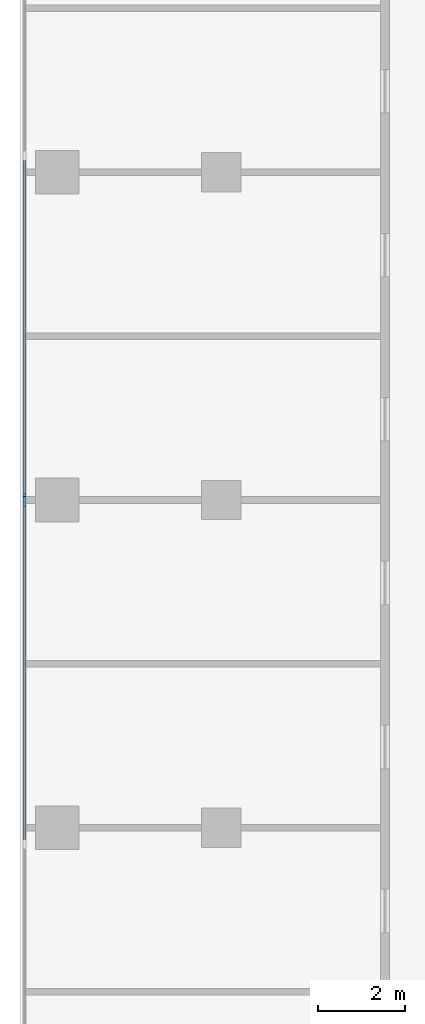
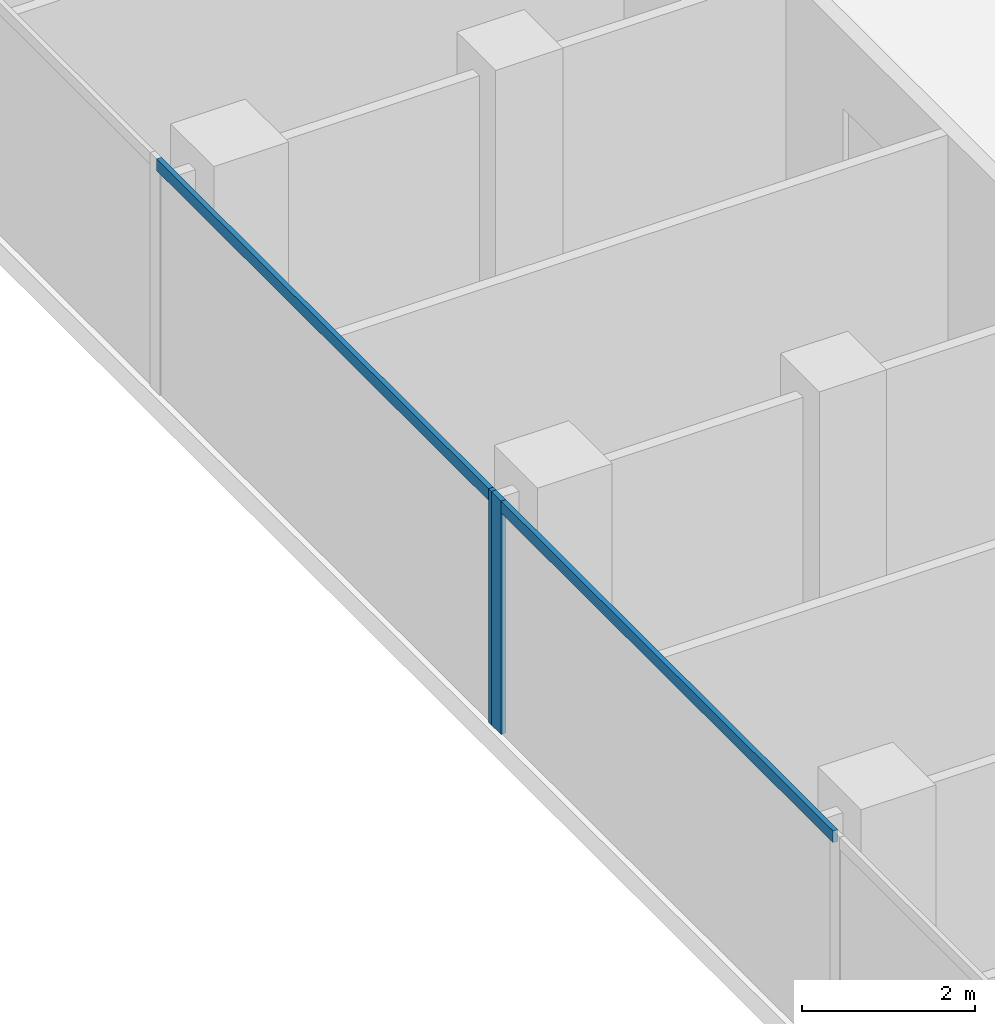
# One storey, part 3 of 12: 4 members, 2 elements without a shape of their own.
"""IFC4 building model written with IfcOpenShell, lengths in metres."""

import ifcopenshell
import ifcopenshell.guid

model = None  # the IFC model being written
_history = None  # IfcOwnerHistory: only IFC2X3 demands one
_inside = {}  # id of a spatial element -> (the spatial element, [elements in it])
_under = {}  # id of a project, library or spatial element -> (it, [spatial elements below it])
_declared = {}  # id of a project -> (the project, [libraries it declares])
_typed = {}  # id of a type object -> (the type object, [elements of that type])
_made_of = {}  # id of a material, layer set ... -> (it, [elements and type objects made of it])


def new_model(schema):
    """Start an empty IFC model of exactly this schema.

    Asked for "IFC4X3", IfcOpenShell would pick the latest addendum, in which some entities
    have other attributes; the version numbers below select the first issue.
    IFC2X3 requires an IfcOwnerHistory on every rooted entity: one is made here for all.
    """
    global model, _history
    if schema == "IFC4X3":
        model = ifcopenshell.file(schema_version=(4, 3, 0, 0))
    else:
        model = ifcopenshell.file(schema=schema)
    _inside.clear()
    _under.clear()
    _declared.clear()
    _typed.clear()
    _made_of.clear()
    _history = None
    if model.schema == "IFC2X3":
        org = make("IfcOrganization", Name="unknown")
        user = make(
            "IfcPersonAndOrganization",
            ThePerson=make("IfcPerson", FamilyName="unknown"),
            TheOrganization=org,
        )
        app = make(
            "IfcApplication",
            ApplicationDeveloper=org,
            Version="unknown",
            ApplicationFullName="unknown",
            ApplicationIdentifier="unknown",
        )
        _history = make(
            "IfcOwnerHistory",
            OwningUser=user,
            OwningApplication=app,
            ChangeAction="ADDED",
            CreationDate=0,
        )
    return model


def make(cls, **values):
    """One entity of the class cls with the attributes given. An attribute that is None is left unset."""
    return model.create_entity(
        cls, **{name: value for name, value in values.items() if value is not None}
    )


def rooted(cls, **values):
    """An entity with a GlobalId (a new one), such as an element, a storey or a relation."""
    return make(cls, GlobalId=ifcopenshell.guid.new(), OwnerHistory=_history, **values)


def si_unit(unit_type, name, prefix=None):
    """IfcSIUnit, for example si_unit("LENGTHUNIT", "METRE", prefix="MILLI")."""
    return make("IfcSIUnit", UnitType=unit_type, Prefix=prefix, Name=name)


def assignment(units):
    """IfcUnitAssignment: the units of a project."""
    return None if units is None else make("IfcUnitAssignment", Units=units)


def point(xyz):
    """IfcCartesianPoint."""
    return None if xyz is None else make("IfcCartesianPoint", Coordinates=xyz)


def direction(xyz):
    """IfcDirection."""
    return None if xyz is None else make("IfcDirection", DirectionRatios=xyz)


def frame(location, z_axis=None, x_axis=None):
    """IfcAxis2Placement3D, a coordinate frame: its origin and axes. An axis left out is left unset."""
    return make(
        "IfcAxis2Placement3D",
        Location=point(location),
        Axis=direction(z_axis),
        RefDirection=direction(x_axis),
    )


def frame_2d(location, x_axis=None):
    """IfcAxis2Placement2D, a coordinate frame in the plane: its origin and x axis."""
    return make(
        "IfcAxis2Placement2D", Location=point(location), RefDirection=direction(x_axis)
    )


def origin():
    """The frame at (0, 0, 0) with its axes left unset."""
    return frame((0.0, 0.0, 0.0))


def origin_2d():
    """The frame at (0, 0) in the plane with its x axis left unset."""
    return frame_2d((0.0, 0.0))


def place(relative_to, where):
    """IfcLocalPlacement: puts the frame where relative to a parent placement (None: the world)."""
    return make(
        "IfcLocalPlacement", PlacementRelTo=relative_to, RelativePlacement=where
    )


def context(
    kind, dimensions, precision=None, world=None, true_north=None, identifier=None
):
    """IfcGeometricRepresentationContext, for example the 3D "Model" context."""
    return make(
        "IfcGeometricRepresentationContext",
        ContextIdentifier=identifier,
        ContextType=kind,
        CoordinateSpaceDimension=dimensions,
        Precision=precision,
        WorldCoordinateSystem=world,
        TrueNorth=true_north,
    )


def subcontext(parent, identifier, kind, view, scale=None):
    """IfcGeometricRepresentationSubContext, for example "Body" below "Model"."""
    return make(
        "IfcGeometricRepresentationSubContext",
        ContextIdentifier=identifier,
        ContextType=kind,
        ParentContext=parent,
        TargetScale=scale,
        TargetView=view,
    )


def project(units=None, contexts=None):
    """IfcProject with its units and contexts."""
    return rooted(
        "IfcProject",
        Name="project",
        RepresentationContexts=contexts,
        UnitsInContext=assignment(units),
    )


def spatial(cls, under=None, at=None, **own):
    """A site, building, storey or space (cls), placed at a placement, below another one or the project."""
    s = rooted(cls, ObjectPlacement=at, **own)
    if under is not None:
        _under.setdefault(under.id(), (under, []))[1].append(s)
    return s


def profile(cls, at=None, kind="AREA", **sizes):
    """A parametric profile (cls). Its sizes go by their IFC names, for example OverallWidth=200.0."""
    return make(cls, ProfileType=kind, Position=at, **sizes)


def rectangle(**sizes):
    """IfcRectangleProfileDef."""
    return profile("IfcRectangleProfileDef", **sizes)


def extrude(swept, where, along, depth):
    """IfcExtrudedAreaSolid: the profile swept, set in the frame where, extruded along a direction by depth."""
    return make(
        "IfcExtrudedAreaSolid",
        SweptArea=swept,
        Position=where,
        ExtrudedDirection=direction(along),
        Depth=depth,
    )


def shape(context_of_items, identifier, shape_type, items):
    """IfcShapeRepresentation: the items that make up one representation, for example the "Body"."""
    return make(
        "IfcShapeRepresentation",
        ContextOfItems=context_of_items,
        RepresentationIdentifier=identifier,
        RepresentationType=shape_type,
        Items=items,
    )


def material(Name=None, Category=None):
    """IfcMaterial."""
    return make("IfcMaterial", Name=Name, Category=Category)


def material_profile(
    of_material, cross_section, Name=None, Category=None, Priority=None
):
    """IfcMaterialProfile: a cross section and its material."""
    return make(
        "IfcMaterialProfile",
        Name=Name,
        Material=of_material,
        Profile=cross_section,
        Priority=Priority,
        Category=Category,
    )


def profile_set(profiles, Name=None, composite=None):
    """IfcMaterialProfileSet."""
    return make(
        "IfcMaterialProfileSet",
        Name=Name,
        MaterialProfiles=profiles,
        CompositeProfile=composite,
    )


def made_of(thing, what):
    """Note that an element or type object is made of a material, layer set ...; save() writes the relation."""
    if what is not None:
        _made_of.setdefault(what.id(), (what, []))[1].append(thing)
    return thing


def type_object(cls, material=None, **own):
    """A type object (cls), such as IfcWallType, which elements share."""
    return made_of(rooted(cls, **own), material)


def element(
    cls,
    number,
    at=None,
    inside=None,
    cuts=None,
    type_object=None,
    material=None,
    context=None,
    identifier="Body",
    shape_type=None,
    held_by="IfcProductDefinitionShape",
    body=None,
    shapes=None,
    **own,
):
    """One element of the class cls, such as IfcWall. Its Tag is "e" and its number.

    at: its placement. inside: the storey or other place that contains it. cuts: it is an
    opening in that element (IfcRelVoidsElement). A single representation is given by context,
    identifier, shape_type and body (its items); several are given by shapes. held_by: the class
    of the entity that holds the representations. save() writes the other relations.
    """
    e = rooted(cls, Tag="e%d" % number, ObjectPlacement=at, **own)
    if body is not None:
        shapes = [shape(context, identifier, shape_type, body)]
    if shapes is not None:
        e.Representation = make(held_by, Representations=shapes)
    if inside is not None:
        _inside.setdefault(inside.id(), (inside, []))[1].append(e)
    if cuts is not None:
        rooted(
            "IfcRelVoidsElement", RelatingBuildingElement=cuts, RelatedOpeningElement=e
        )
    if type_object is not None:
        _typed.setdefault(type_object.id(), (type_object, []))[1].append(e)
    return made_of(e, material)


def aggregate(whole, parts):
    """IfcRelAggregates: a whole, such as a stair, and the parts it consists of."""
    return rooted("IfcRelAggregates", RelatingObject=whole, RelatedObjects=parts)


def save(model, path):
    """Write the relations noted so far, then the file.

    IfcRelAggregates (storeys below a building ...), IfcRelContainedInSpatialStructure (elements
    in a storey), IfcRelDefinesByType, IfcRelAssociatesMaterial and IfcRelDeclares: one each for
    every whole, place, type object, material and project.
    """
    for whole, parts in _under.values():
        aggregate(whole, parts)
    for where, things in _inside.values():
        rooted(
            "IfcRelContainedInSpatialStructure",
            RelatedElements=things,
            RelatingStructure=where,
        )
    for kind, things in _typed.values():
        rooted("IfcRelDefinesByType", RelatedObjects=things, RelatingType=kind)
    for what, things in _made_of.values():
        rooted("IfcRelAssociatesMaterial", RelatedObjects=things, RelatingMaterial=what)
    for by, libraries in _declared.values():
        rooted("IfcRelDeclares", RelatingContext=by, RelatedDefinitions=libraries)
    model.write(path)


model = new_model("IFC4")

# Units and contexts
model_context = context("Model", 3, precision=1e-05, world=origin(), true_north=direction((0.0, 1.0)))
body_context = subcontext(model_context, "Body", "Model", "MODEL_VIEW")
ifc_project = project(units=[si_unit("LENGTHUNIT", "METRE"), si_unit("AREAUNIT", "SQUARE_METRE"), si_unit("VOLUMEUNIT", "CUBIC_METRE"), si_unit("PLANEANGLEUNIT", "RADIAN"), si_unit("MASSUNIT", "GRAM", prefix="KILO")], contexts=[model_context])

# Site, building, storey
site_placement = place(None, origin())
site = spatial("IfcSite", under=ifc_project, at=site_placement, CompositionType="ELEMENT")
building_placement = place(site_placement, origin())
building = spatial("IfcBuilding", under=site, at=building_placement, Name="Pilkhan Gate Tower", CompositionType="ELEMENT")
storey_placement = place(building_placement, frame((0.0, 0.0, 188.699951171875)))
storey = spatial("IfcBuildingStorey", under=building, at=storey_placement, Name="L48", CompositionType="ELEMENT", Elevation=188.699951171875)

# Curtain wall, member
ifc_material_1 = material(Name="Pale anodised aluminium, clear low-iron double glazing", Category="aluminium")
curtain_wall_type = type_object("IfcCurtainWallType", Name="Office unitised curtain wall CW-O2", PredefinedType="USERDEFINED", material=ifc_material_1)
curtain_wall_1_placement = place(storey_placement, origin())
curtain_wall_1 = element("IfcCurtainWall", 1, at=curtain_wall_1_placement, inside=storey, type_object=curtain_wall_type, Name="Office unitised curtain wall CW-O2 L48 W", ObjectType="UNITISED CURTAIN WALL", PredefinedType="USERDEFINED")
ifc_material_2 = material(Name="Pale anodised aluminium", Category="aluminium")
ifc_material_profile_1 = material_profile(ifc_material_2, rectangle(XDim=0.06494140625, YDim=0.22509765625, at=origin_2d()), Name="Mullion 225x65")
ifc_profile_set_1 = profile_set([ifc_material_profile_1], Name="Pale anodised aluminium")
member_type_1 = type_object("IfcMemberType", Name="Mullion CW-O2 225x65", PredefinedType="MULLION", material=ifc_profile_set_1)
member_1_placement = place(storey_placement, frame((48.0, 67.467529296875, 0.0), z_axis=(0.0, 0.0, 1.0), x_axis=(-1.0, 0.0, 0.0)))
member_1 = element("IfcMember", 2, at=member_1_placement, type_object=member_type_1, Name="CW-O2 mullion 3", PredefinedType="MULLION", context=body_context, shape_type="SweptSolid", body=[
    extrude(rectangle(XDim=0.06494140625, YDim=0.22509765625, at=origin_2d()), origin(), (0.0, 0.0, 1.0), 3.300048828125),
])

curtain_wall_2_placement = place(storey_placement, origin())
curtain_wall_2 = element("IfcCurtainWall", 3, at=curtain_wall_2_placement, inside=storey, type_object=curtain_wall_type, Name="Office unitised curtain wall CW-O2 L48 W", ObjectType="UNITISED CURTAIN WALL", PredefinedType="USERDEFINED")
member_2_placement = place(storey_placement, frame((48.0, 67.532470703125, 0.0), z_axis=(0.0, 0.0, 1.0), x_axis=(-1.0, 0.0, 0.0)))
member_2 = element("IfcMember", 4, at=member_2_placement, type_object=member_type_1, Name="CW-O2 mullion 1", PredefinedType="MULLION", context=body_context, shape_type="SweptSolid", body=[
    extrude(rectangle(XDim=0.06494140625, YDim=0.22509765625, at=origin_2d()), origin(), (0.0, 0.0, 1.0), 3.300048828125),
])

# Member
ifc_material_profile_2 = material_profile(ifc_material_2, rectangle(XDim=0.06494140625, YDim=0.1650390625, at=origin_2d()), Name="Transom 165x65")
ifc_profile_set_2 = profile_set([ifc_material_profile_2], Name="Pale anodised aluminium")
member_type_2 = type_object("IfcMemberType", Name="Transom CW-O2 165x65", PredefinedType="USERDEFINED", material=ifc_profile_set_2)
member_3_placement = place(storey_placement, frame((48.0, 59.657470703125, 3.217529296875), z_axis=(0.0, 1.0, 0.0), x_axis=(-1.0, 0.0, 0.0)))
member_3 = element("IfcMember", 5, at=member_3_placement, type_object=member_type_2, Name="CW-O2 transom 2", ObjectType="TRANSOM", PredefinedType="USERDEFINED", context=body_context, shape_type="SweptSolid", body=[
    extrude(rectangle(XDim=0.06494140625, YDim=0.1650390625, at=origin_2d()), origin(), (0.0, 0.0, 1.0), 7.777587890625),
])

aggregate(curtain_wall_1, [member_1, member_3])

member_4_placement = place(storey_placement, frame((48.0, 67.56494140625, 3.217529296875), z_axis=(0.0, 1.0, 0.0), x_axis=(-1.0, 0.0, 0.0)))
member_4 = element("IfcMember", 6, at=member_4_placement, type_object=member_type_2, Name="CW-O2 transom 1", ObjectType="TRANSOM", PredefinedType="USERDEFINED", context=body_context, shape_type="SweptSolid", body=[
    extrude(rectangle(XDim=0.06494140625, YDim=0.1650390625, at=origin_2d()), origin(), (0.0, 0.0, 1.0), 7.777587890625),
])

aggregate(curtain_wall_2, [member_2, member_4])

save(model, "model.ifc")
